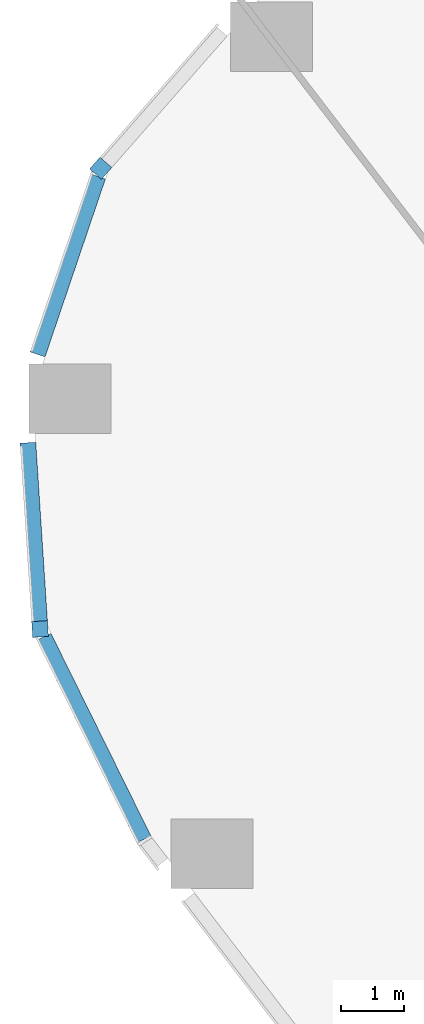
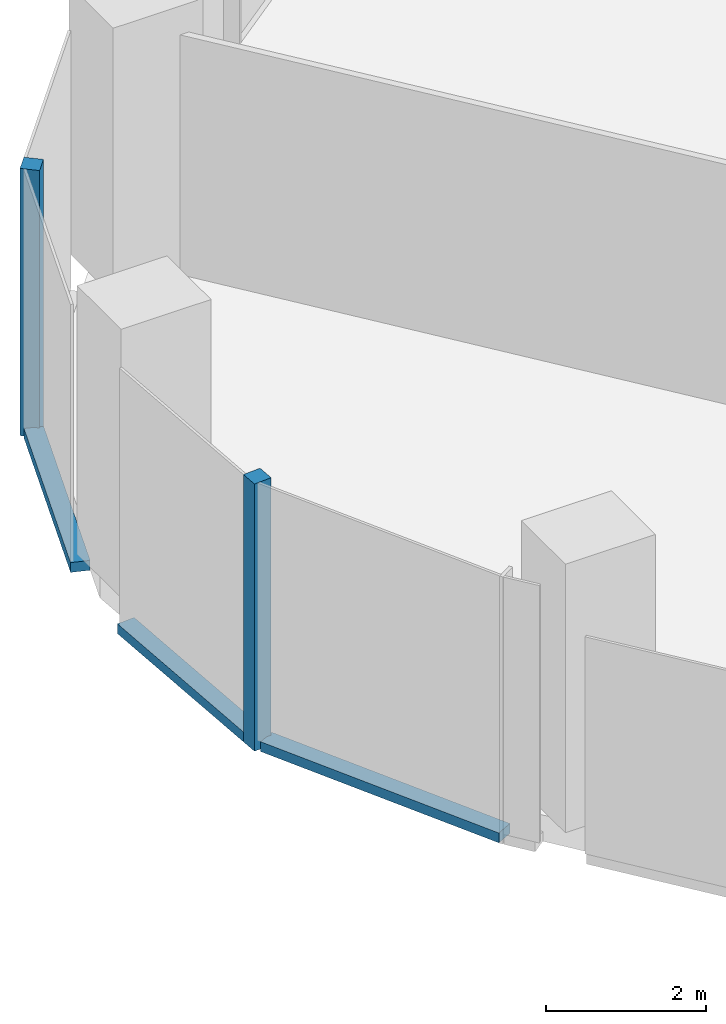
# One storey, part 3 of 29: 5 members, 4 elements without a shape of their own.
"""IFC4 building model written with IfcOpenShell, lengths in metres."""

from ifc_helpers import new_model, si_unit, direction, frame, origin, origin_2d, place, context, subcontext, project, spatial, rectangle, extrude, material, material_profile, profile_set, type_object, element, aggregate, save


model = new_model("IFC4")

# Units and contexts
model_context = context("Model", 3, precision=1e-05, world=origin(), true_north=direction((0.0, 1.0)))
body_context = subcontext(model_context, "Body", "Model", "MODEL_VIEW")
ifc_project = project(units=[si_unit("LENGTHUNIT", "METRE"), si_unit("AREAUNIT", "SQUARE_METRE"), si_unit("VOLUMEUNIT", "CUBIC_METRE"), si_unit("PLANEANGLEUNIT", "RADIAN"), si_unit("MASSUNIT", "GRAM", prefix="KILO")], contexts=[model_context])

# Site, building, storey
site_placement = place(None, origin())
site = spatial("IfcSite", under=ifc_project, at=site_placement, CompositionType="ELEMENT")
building_placement = place(site_placement, origin())
building = spatial("IfcBuilding", under=site, at=building_placement, Name="Orlundy Tower", CompositionType="ELEMENT")
storey_placement = place(building_placement, frame((0.0, 0.0, 29.199951171875)))
storey = spatial("IfcBuildingStorey", under=building, at=storey_placement, Name="L05", CompositionType="ELEMENT", Elevation=29.199951171875)

# Curtain wall, member
ifc_material_1 = material(Name="Aluminium bronze anodised", Category="aluminium")
curtain_wall_type = type_object("IfcCurtainWallType", Name="CW2 wall", PredefinedType="NOTDEFINED", material=ifc_material_1)
curtain_wall_1_placement = place(storey_placement, origin())
curtain_wall_1 = element("IfcCurtainWall", 1, at=curtain_wall_1_placement, inside=storey, type_object=curtain_wall_type, Name="CW2 run 09", PredefinedType="NOTDEFINED")
ifc_material_2 = material(Name="Aluminium bronze anodised", Category="aluminium")
ifc_material_profile_1 = material_profile(ifc_material_2, rectangle(XDim=0.25, YDim=0.25, at=origin_2d()), Name="CW2 corner post 250x250")
ifc_profile_set_1 = profile_set([ifc_material_profile_1], Name="Aluminium bronze anodised")
member_type_1 = type_object("IfcMemberType", Name="CW2 corner post 250x250", PredefinedType="MULLION", material=ifc_profile_set_1)
member_1_placement = place(storey_placement, frame((-55.359130859375, -24.60009765625, -0.39990234375), z_axis=(0.0, 0.0, 1.0), x_axis=(-0.997866755389, -0.065283523877, 0.0)))
member_1 = element("IfcMember", 2, at=member_1_placement, type_object=member_type_1, Name="CW2 mullion 23", PredefinedType="MULLION", context=body_context, shape_type="SweptSolid", body=[
    extrude(rectangle(XDim=0.25, YDim=0.25, at=origin_2d()), origin(), (0.0, 0.0, 1.0), 4.079833984375),
])

curtain_wall_2_placement = place(storey_placement, origin())
curtain_wall_2 = element("IfcCurtainWall", 3, at=curtain_wall_2_placement, inside=storey, type_object=curtain_wall_type, Name="CW2 run 011", PredefinedType="NOTDEFINED")
member_2_placement = place(storey_placement, frame((-54.3974609375, -17.294189453125, -0.39990234375), z_axis=(0.0, 0.0, 1.0), x_axis=(-0.751857647447, 0.65932547196, 0.0)))
member_2 = element("IfcMember", 4, at=member_2_placement, type_object=member_type_1, Name="CW2 mullion 25", PredefinedType="MULLION", context=body_context, shape_type="SweptSolid", body=[
    extrude(rectangle(XDim=0.25, YDim=0.25, at=origin_2d()), origin(), (0.0, 0.0, 1.0), 4.079833984375),
])
aggregate(curtain_wall_2, [member_2])

curtain_wall_3_placement = place(storey_placement, origin())
curtain_wall_3 = element("IfcCurtainWall", 5, at=curtain_wall_3_placement, inside=storey, type_object=curtain_wall_type, Name="CW2 run 08", PredefinedType="NOTDEFINED")
ifc_material_3 = material(Name="Aluminium bronze anodised", Category="aluminium")
ifc_material_profile_2 = material_profile(ifc_material_3, rectangle(XDim=0.25, YDim=0.14990234375, at=origin_2d()), Name="CW2 transom 250x150")
ifc_profile_set_2 = profile_set([ifc_material_profile_2], Name="Aluminium bronze anodised")
member_type_2 = type_object("IfcMemberType", Name="CW2 transom 250x150", PredefinedType="USERDEFINED", material=ifc_profile_set_2)
member_3_placement = place(storey_placement, frame((-53.71484375, -27.934814453125, -0.324951171875), z_axis=(-0.442245930509, 0.896893827021, 0.0), x_axis=(-0.896893827021, -0.442245930509, 0.0)))
member_3 = element("IfcMember", 6, at=member_3_placement, type_object=member_type_2, Name="CW2 transom", ObjectType="TRANSOM", PredefinedType="USERDEFINED", context=body_context, shape_type="SweptSolid", body=[
    extrude(rectangle(XDim=0.25, YDim=0.14990234375, at=origin_2d()), origin(), (0.0, 0.0, 1.0), 3.582763671875),
])
aggregate(curtain_wall_3, [member_3])

# Member
member_4_placement = place(storey_placement, frame((-55.3671875, -24.475341796875, -0.324951171875), z_axis=(-0.065267391535, 0.997867810685, 0.0), x_axis=(-0.997867810685, -0.065267391535, 0.0)))
member_4 = element("IfcMember", 7, at=member_4_placement, type_object=member_type_2, Name="CW2 transom", ObjectType="TRANSOM", PredefinedType="USERDEFINED", context=body_context, shape_type="SweptSolid", body=[
    extrude(rectangle(XDim=0.25, YDim=0.14990234375, at=origin_2d()), origin(), (0.0, 0.0, 1.0), 2.83544921875),
])

aggregate(curtain_wall_1, [member_1, member_4])

# Curtain wall, member
curtain_wall_4_placement = place(storey_placement, origin())
curtain_wall_4 = element("IfcCurtainWall", 8, at=curtain_wall_4_placement, inside=storey, type_object=curtain_wall_type, Name="CW2 run 010", PredefinedType="NOTDEFINED")
member_5_placement = place(storey_placement, frame((-55.39892578125, -20.24609375, -0.324951171875), z_axis=(0.321283233247, 0.94698314876, 0.0), x_axis=(-0.94698314876, 0.321283233247, 0.0)))
member_5 = element("IfcMember", 9, at=member_5_placement, type_object=member_type_2, Name="CW2 transom", ObjectType="TRANSOM", PredefinedType="USERDEFINED", context=body_context, shape_type="SweptSolid", body=[
    extrude(rectangle(XDim=0.25, YDim=0.14990234375, at=origin_2d()), origin(), (0.0, 0.0, 1.0), 2.98193359375),
])
aggregate(curtain_wall_4, [member_5])

save(model, "model.ifc")
